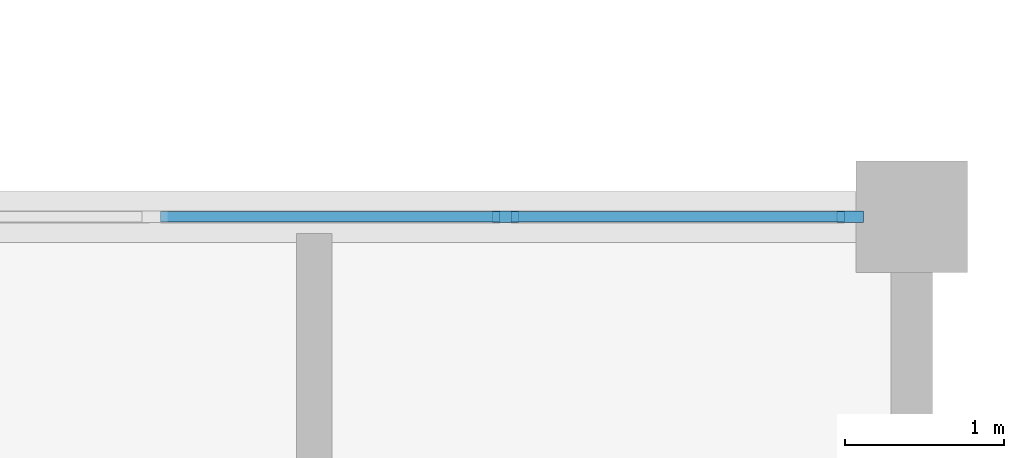
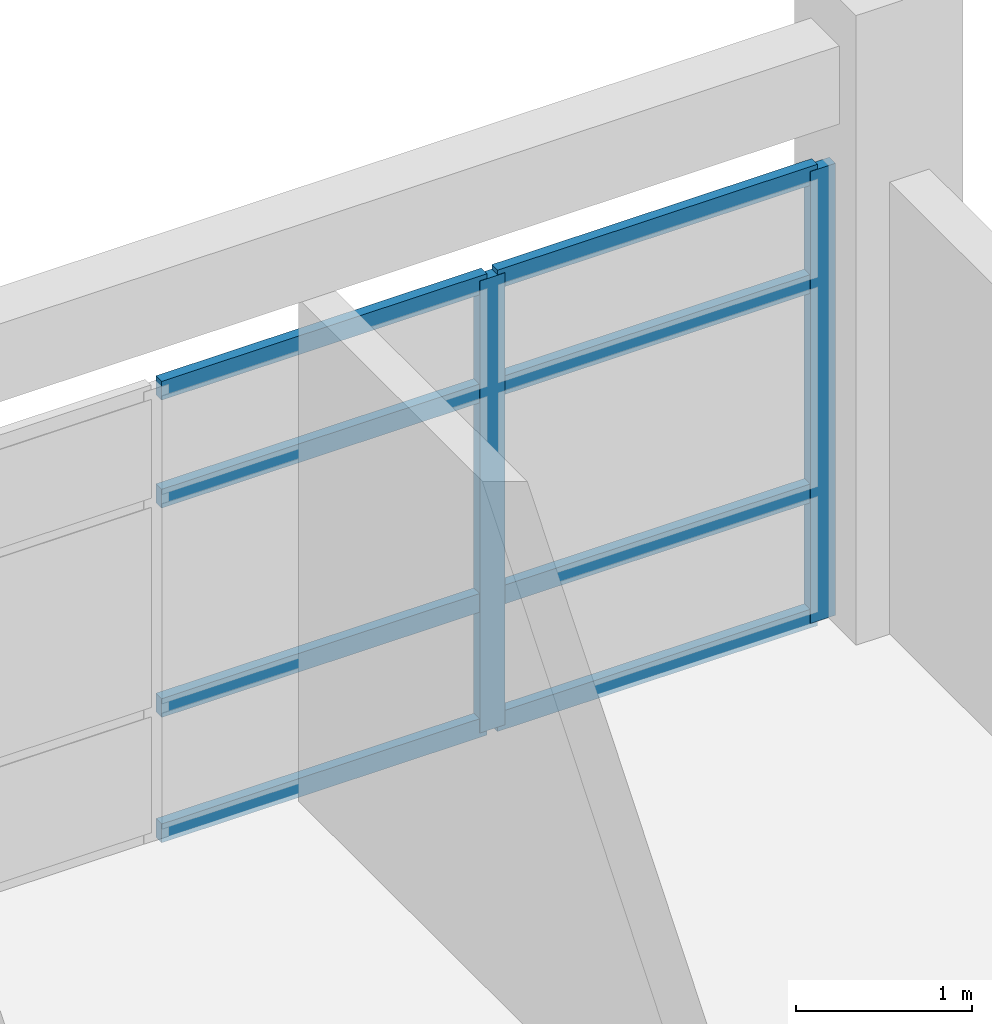
# One storey, part 51 of 110: 10 members, 1 element without a shape of its own.
"""IFC4 building model written with IfcOpenShell, lengths in metres."""

from ifc_helpers import new_model, si_unit, direction, frame, origin, origin_2d, place, context, subcontext, project, spatial, rectangle, extrude, material, material_profile, profile_set, type_object, element, aggregate, save


model = new_model("IFC4")

# Units and contexts
model_context = context("Model", 3, precision=1e-05, world=origin(), true_north=direction((0.0, 1.0)))
body_context = subcontext(model_context, "Body", "Model", "MODEL_VIEW")
ifc_project = project(units=[si_unit("LENGTHUNIT", "METRE"), si_unit("AREAUNIT", "SQUARE_METRE"), si_unit("VOLUMEUNIT", "CUBIC_METRE"), si_unit("PLANEANGLEUNIT", "RADIAN"), si_unit("MASSUNIT", "GRAM", prefix="KILO")], contexts=[model_context])

# Site, building, storey
site_placement = place(None, origin())
site = spatial("IfcSite", under=ifc_project, at=site_placement, CompositionType="ELEMENT")
building_placement = place(site_placement, origin())
building = spatial("IfcBuilding", under=site, at=building_placement, Name="Steenspoor Specialist Clinic", CompositionType="ELEMENT")
storey_placement = place(building_placement, frame((0.0, 0.0, 4.800048828125)))
storey = spatial("IfcBuildingStorey", under=building, at=storey_placement, Name="L01", CompositionType="ELEMENT", Elevation=4.800048828125)

# Curtain wall, members
ifc_material_1 = material(Name="Thermally broken aluminium and low-emissivity glass", Category="aluminium")
curtain_wall_type = type_object("IfcCurtainWallType", Name="CW-TYP-360X355", PredefinedType="USERDEFINED", material=ifc_material_1)
curtain_wall_placement = place(storey_placement, origin())
curtain_wall = element("IfcCurtainWall", 1, at=curtain_wall_placement, inside=storey, type_object=curtain_wall_type, Name="Unitised Curtain Wall CW-V6-L01-182", ObjectType="UNITISED GLAZING", PredefinedType="USERDEFINED")
ifc_material_2 = material(Name="Thermally broken aluminium 6063-T6", Category="aluminium")
ifc_material_profile_1 = material_profile(ifc_material_2, rectangle(XDim=0.070068359375, YDim=0.1650390625, at=origin_2d()), Name="CWM-70X165")
ifc_profile_set_1 = profile_set([ifc_material_profile_1], Name="Thermally broken aluminium 6063-T6")
member_type_1 = type_object("IfcMemberType", Name="CW-MULL-70X165", PredefinedType="MULLION", material=ifc_profile_set_1)
member_1_placement = place(storey_placement, frame((158.64990234375, 93.949951171875, 0.0), z_axis=(0.0, 0.0, 1.0), x_axis=(0.0, 1.0, 0.0)))
member_1 = element("IfcMember", 2, at=member_1_placement, type_object=member_type_1, Name="CW-14 mullion 3", PredefinedType="MULLION", context=body_context, shape_type="SweptSolid", body=[
    extrude(rectangle(XDim=0.070068359375, YDim=0.1650390625, at=origin_2d()), origin(), (0.0, 0.0, 1.0), 3.1298828125),
])
member_2_placement = place(storey_placement, frame((160.81494140625, 93.949951171875, 0.0), z_axis=(0.0, 0.0, 1.0), x_axis=(0.0, 1.0, 0.0)))
member_2 = element("IfcMember", 3, at=member_2_placement, type_object=member_type_1, Name="CW-14 mullion 4", PredefinedType="MULLION", context=body_context, shape_type="SweptSolid", body=[
    extrude(rectangle(XDim=0.070068359375, YDim=0.1650390625, at=origin_2d()), origin(), (0.0, 0.0, 1.0), 3.1298828125),
])
ifc_material_profile_2 = material_profile(ifc_material_2, rectangle(XDim=0.06494140625, YDim=0.1298828125, at=origin_2d()), Name="CWT-65X130")
ifc_profile_set_2 = profile_set([ifc_material_profile_2], Name="Thermally broken aluminium 6063-T6")
member_type_2 = type_object("IfcMemberType", Name="CW-TRAN-65X130", PredefinedType="USERDEFINED", material=ifc_profile_set_2)
member_3_placement = place(storey_placement, frame((156.485107421875, 93.949951171875, 0.032470703125), z_axis=(1.0, 0.0, 0.0), x_axis=(0.0, 1.0, 0.0)))
member_3 = element("IfcMember", 4, at=member_3_placement, type_object=member_type_2, Name="CW-14 transom 2.1", ObjectType="TRANSOM", PredefinedType="USERDEFINED", context=body_context, shape_type="SweptSolid", body=[
    extrude(rectangle(XDim=0.06494140625, YDim=0.1298828125, at=origin_2d()), origin(), (0.0, 0.0, 1.0), 2.1298828125),
])
member_4_placement = place(storey_placement, frame((156.485107421875, 93.949951171875, 0.89990234375), z_axis=(1.0, 0.0, 0.0), x_axis=(0.0, 1.0, 0.0)))
member_4 = element("IfcMember", 5, at=member_4_placement, type_object=member_type_2, Name="CW-14 transom 2.2", ObjectType="TRANSOM", PredefinedType="USERDEFINED", context=body_context, shape_type="SweptSolid", body=[
    extrude(rectangle(XDim=0.06494140625, YDim=0.1298828125, at=origin_2d()), origin(), (0.0, 0.0, 1.0), 2.1298828125),
])
member_5_placement = place(storey_placement, frame((156.485107421875, 93.949951171875, 2.349853515625), z_axis=(1.0, 0.0, 0.0), x_axis=(0.0, 1.0, 0.0)))
member_5 = element("IfcMember", 6, at=member_5_placement, type_object=member_type_2, Name="CW-14 transom 2.3", ObjectType="TRANSOM", PredefinedType="USERDEFINED", context=body_context, shape_type="SweptSolid", body=[
    extrude(rectangle(XDim=0.06494140625, YDim=0.1298828125, at=origin_2d()), origin(), (0.0, 0.0, 1.0), 2.1298828125),
])
member_6_placement = place(storey_placement, frame((156.485107421875, 93.949951171875, 3.097412109375), z_axis=(1.0, 0.0, 0.0), x_axis=(0.0, 1.0, 0.0)))
member_6 = element("IfcMember", 7, at=member_6_placement, type_object=member_type_2, Name="CW-14 transom 2.4", ObjectType="TRANSOM", PredefinedType="USERDEFINED", context=body_context, shape_type="SweptSolid", body=[
    extrude(rectangle(XDim=0.06494140625, YDim=0.1298828125, at=origin_2d()), origin(), (0.0, 0.0, 1.0), 2.1298828125),
])
member_7_placement = place(storey_placement, frame((158.68505859375, 93.949951171875, 0.032470703125), z_axis=(1.0, 0.0, 0.0), x_axis=(0.0, 1.0, 0.0)))
member_7 = element("IfcMember", 8, at=member_7_placement, type_object=member_type_2, Name="CW-14 transom 3.1", ObjectType="TRANSOM", PredefinedType="USERDEFINED", context=body_context, shape_type="SweptSolid", body=[
    extrude(rectangle(XDim=0.06494140625, YDim=0.1298828125, at=origin_2d()), origin(), (0.0, 0.0, 1.0), 2.094970703125),
])
member_8_placement = place(storey_placement, frame((158.68505859375, 93.949951171875, 0.89990234375), z_axis=(1.0, 0.0, 0.0), x_axis=(0.0, 1.0, 0.0)))
member_8 = element("IfcMember", 9, at=member_8_placement, type_object=member_type_2, Name="CW-14 transom 3.2", ObjectType="TRANSOM", PredefinedType="USERDEFINED", context=body_context, shape_type="SweptSolid", body=[
    extrude(rectangle(XDim=0.06494140625, YDim=0.1298828125, at=origin_2d()), origin(), (0.0, 0.0, 1.0), 2.094970703125),
])
member_9_placement = place(storey_placement, frame((158.68505859375, 93.949951171875, 2.349853515625), z_axis=(1.0, 0.0, 0.0), x_axis=(0.0, 1.0, 0.0)))
member_9 = element("IfcMember", 10, at=member_9_placement, type_object=member_type_2, Name="CW-14 transom 3.3", ObjectType="TRANSOM", PredefinedType="USERDEFINED", context=body_context, shape_type="SweptSolid", body=[
    extrude(rectangle(XDim=0.06494140625, YDim=0.1298828125, at=origin_2d()), origin(), (0.0, 0.0, 1.0), 2.094970703125),
])
member_10_placement = place(storey_placement, frame((158.68505859375, 93.949951171875, 3.097412109375), z_axis=(1.0, 0.0, 0.0), x_axis=(0.0, 1.0, 0.0)))
member_10 = element("IfcMember", 11, at=member_10_placement, type_object=member_type_2, Name="CW-14 transom 3.4", ObjectType="TRANSOM", PredefinedType="USERDEFINED", context=body_context, shape_type="SweptSolid", body=[
    extrude(rectangle(XDim=0.06494140625, YDim=0.1298828125, at=origin_2d()), origin(), (0.0, 0.0, 1.0), 2.094970703125),
])
aggregate(curtain_wall, [member_1, member_2, member_3, member_4, member_5, member_6, member_7, member_8, member_9, member_10])

save(model, "model.ifc")
